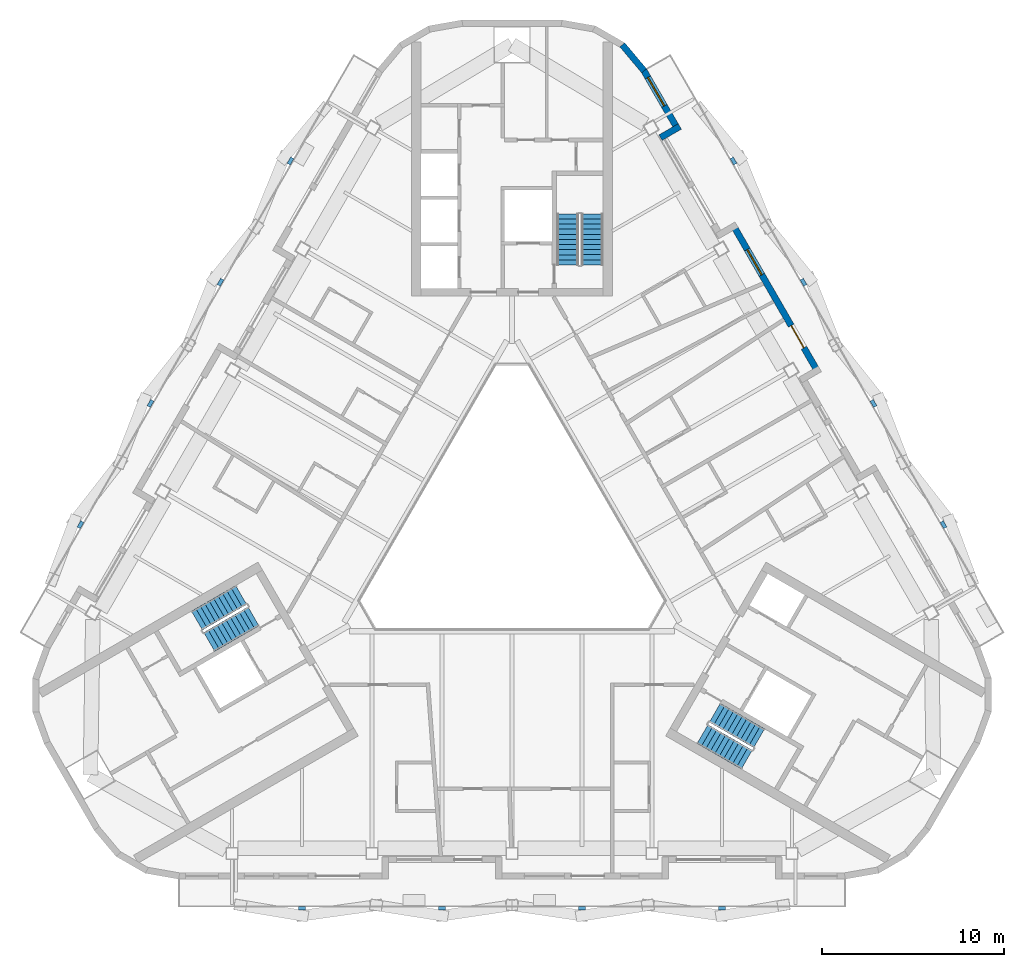
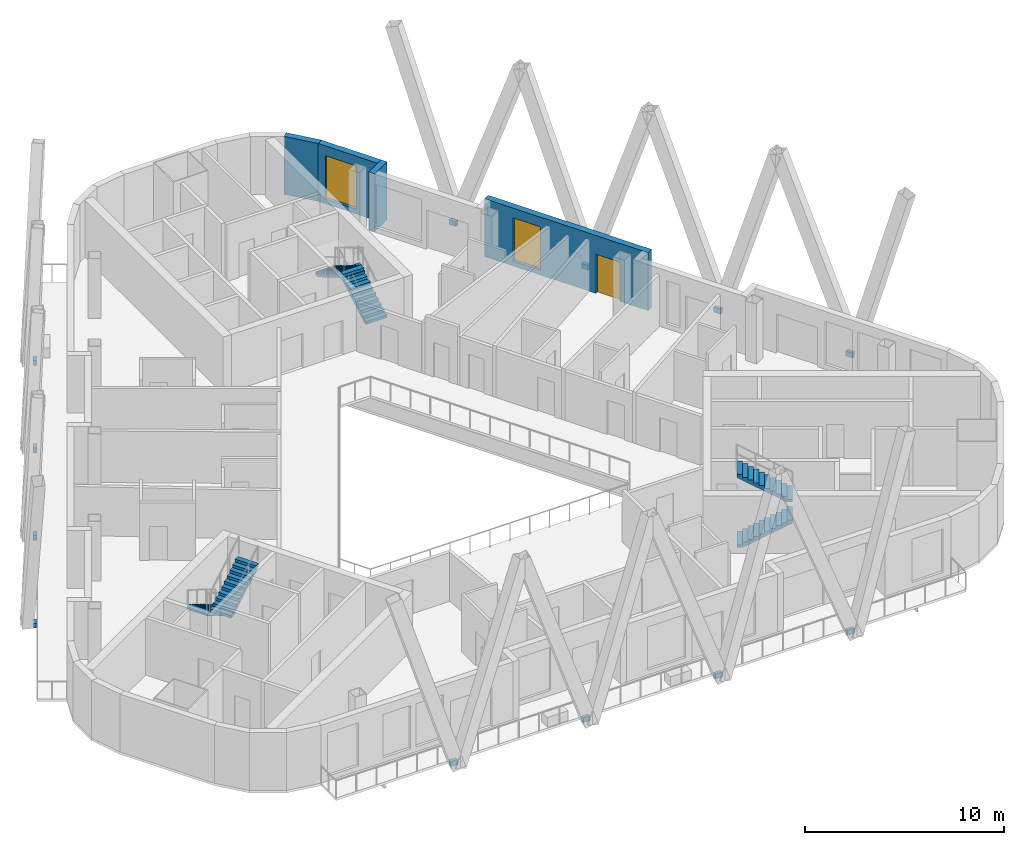
# One storey, part 8 of 14: 12 discrete accessories, 6 stair flights, 4 walls, 2 windows, 1 door, 3 openings, 3 elements without a shape of their own.
"""IFC4 building model written with IfcOpenShell, lengths in metres."""

from ifc_helpers import new_model, si_unit, direction, frame, frame_2d, origin, origin_2d, place, context, subcontext, project, spatial, polyline, rectangle, outline, extrude, material, layer, layer_set, type_object, element, fill, aggregate, save


model = new_model("IFC4")

# Units and contexts
model_context = context("Model", 3, precision=1e-05, world=origin(), true_north=direction((0.0, 1.0)))
body_context = subcontext(model_context, "Body", "Model", "MODEL_VIEW")
ifc_project = project(units=[si_unit("LENGTHUNIT", "METRE"), si_unit("AREAUNIT", "SQUARE_METRE"), si_unit("VOLUMEUNIT", "CUBIC_METRE"), si_unit("PLANEANGLEUNIT", "RADIAN"), si_unit("MASSUNIT", "GRAM", prefix="KILO")], contexts=[model_context])

# Site, building, storey
site_placement = place(None, origin())
site = spatial("IfcSite", under=ifc_project, at=site_placement, CompositionType="ELEMENT")
building_placement = place(site_placement, origin())
building = spatial("IfcBuilding", under=site, at=building_placement, Name="Apuvela Tower Hotel", CompositionType="ELEMENT")
storey_placement = place(building_placement, frame((0.0, 0.0, 257.800048828125)))
storey = spatial("IfcBuildingStorey", under=building, at=storey_placement, Name="L63", CompositionType="ELEMENT", Elevation=257.800048828125)

# Wall, openings, door, window
ifc_material_1 = material(Name="Concrete C40/50, dark pigmented precast panel", Category="concrete")
ifc_layer = layer(ifc_material_1, 0.35009765625)
ifc_layer_set = layer_set([ifc_layer], Name="ENV-WALL-350")
wall_type = type_object("IfcWallType", Name="ENV-WALL-350", PredefinedType="SOLIDWALL", material=ifc_layer_set)
wall_1_placement = place(storey_placement, frame((16.807373046875, 8.66455078125, 0.0), z_axis=(0.0, 0.0, 1.0), x_axis=(-0.499992427901, 0.866029775494, 0.0)))
wall_1 = element("IfcWall", 1, at=wall_1_placement, inside=storey, type_object=wall_type, Name="External wall L63-37", PredefinedType="SOLIDWALL", context=body_context, shape_type="SweptSolid", body=[
    extrude(rectangle(XDim=9.471923828125, YDim=0.35009765625, at=frame_2d((4.73583984375, 0.0))), origin(), (0.0, 0.0, 1.0), 3.550048828125),
])
opening_1_placement = place(wall_1_placement, frame((1.6123046875, 0.0, 0.0)))
opening_1 = element("IfcOpeningElement", 2, at=opening_1_placement, cuts=wall_1, Name="Opening BD14", PredefinedType="OPENING", context=body_context, shape_type="SweptSolid", body=[
    extrude(rectangle(XDim=1.39990234375, YDim=2.39990234375, at=frame_2d((0.699951171875, 1.199951171875))), frame((0.0, 0.18505859375, 0.0), z_axis=(0.0, -1.0, 0.0), x_axis=(1.0, 0.0, 0.0)), (0.0, 0.0, 1.0), 0.3701171875),
])
opening_2_placement = place(wall_1_placement, frame((6.23046875, 0.0, 0.300048828125)))
opening_2 = element("IfcOpeningElement", 3, at=opening_2_placement, cuts=wall_1, Name="Opening WN16", PredefinedType="OPENING", context=body_context, shape_type="SweptSolid", body=[
    extrude(rectangle(XDim=1.60009765625, YDim=2.64990234375, at=frame_2d((0.800048828125, 1.324951171875))), frame((0.0, 0.18505859375, 0.0), z_axis=(0.0, -1.0, 0.0), x_axis=(1.0, 0.0, 0.0)), (0.0, 0.0, 1.0), 0.3701171875),
])
ifc_material_2 = material(Name="Aluminium 6063-T6, dark bronze anodised frame with dark tinted laminated glass", Category="aluminium")
door_type = type_object("IfcDoorType", Name="ENV-DOOR-BALCONY-1400x2400", OperationType="SLIDING_TO_LEFT", PredefinedType="DOOR", material=ifc_material_2)
door_placement = place(opening_1_placement, frame((1.39990234375, 0.0, 0.0), z_axis=(0.0, 0.0, 1.0), x_axis=(-1.0, 0.0, 0.0)))
door = element("IfcDoor", 4, at=door_placement, inside=storey, type_object=door_type, Name="Balcony door BD14", OperationType="SLIDING_TO_LEFT", OverallHeight=2.39990234375, OverallWidth=1.39990234375, PredefinedType="DOOR", context=body_context, shape_type="SweptSolid", body=[
    extrude(rectangle(XDim=1.39990234375, YDim=2.39990234375, at=frame_2d((0.699951171875, 1.199951171875))), frame((0.0, 0.02490234375, 0.0), z_axis=(0.0, -1.0, 0.0), x_axis=(1.0, 0.0, 0.0)), (0.0, 0.0, 1.0), 0.050048828125),
])
fill(opening_1, door)
ifc_material_3 = material(Name="Glass, dark tinted laminated insulated glazing unit", Category="glass")
window_type_1 = type_object("IfcWindowType", Name="ENV-WIN-1600x2650", PartitioningType="SINGLE_PANEL", PredefinedType="WINDOW", material=ifc_material_3)
window_1_placement = place(opening_2_placement, origin())
window_1 = element("IfcWindow", 5, at=window_1_placement, inside=storey, type_object=window_type_1, Name="Window WN16", OverallHeight=2.64990234375, OverallWidth=1.60009765625, PartitioningType="SINGLE_PANEL", PredefinedType="WINDOW", context=body_context, shape_type="SweptSolid", body=[
    extrude(rectangle(XDim=1.60009765625, YDim=2.64990234375, at=frame_2d((0.800048828125, 1.324951171875))), frame((0.0, 0.030029296875, 0.0), z_axis=(0.0, -1.0, 0.0), x_axis=(1.0, 0.0, 0.0)), (0.0, 0.0, 1.0), 0.06005859375),
])
fill(opening_2, window_1)

# Wall
wall_2_placement = place(storey_placement, frame((8.14306640625, 21.58154296875, 0.0), z_axis=(0.0, 0.0, 1.0), x_axis=(0.866092288191, 0.499884134912, 0.0)))
element("IfcWall", 6, at=wall_2_placement, inside=storey, type_object=wall_type, Name="External wall L63-40", PredefinedType="SOLIDWALL", context=body_context, shape_type="SweptSolid", body=[
    extrude(rectangle(XDim=1.219970703125, YDim=0.35009765625, at=frame_2d((0.60986328125, 0.0))), origin(), (0.0, 0.0, 1.0), 3.550048828125),
])

# Wall, opening, window
wall_3_placement = place(storey_placement, frame((9.135498046875, 21.952392578125, 0.0), z_axis=(0.0, 0.0, 1.0), x_axis=(-0.499972675833, 0.866041178825, 0.0)))
wall_3 = element("IfcWall", 7, at=wall_3_placement, inside=storey, type_object=wall_type, Name="External wall L63-41", PredefinedType="SOLIDWALL", context=body_context, shape_type="SweptSolid", body=[
    extrude(rectangle(XDim=3.828857421875, YDim=0.35009765625, at=frame_2d((1.91455078125, 0.0))), origin(), (0.0, 0.0, 1.0), 3.550048828125),
])
opening_3_placement = place(wall_3_placement, frame((1.5751953125, 0.0, 0.300048828125)))
opening_3 = element("IfcOpeningElement", 8, at=opening_3_placement, cuts=wall_3, Name="Opening WN18", PredefinedType="OPENING", context=body_context, shape_type="SweptSolid", body=[
    extrude(rectangle(XDim=1.800048828125, YDim=2.64990234375, at=frame_2d((0.89990234375, 1.324951171875))), frame((0.0, 0.18505859375, 0.0), z_axis=(0.0, -1.0, 0.0), x_axis=(1.0, 0.0, 0.0)), (0.0, 0.0, 1.0), 0.3701171875),
])
window_type_2 = type_object("IfcWindowType", Name="ENV-WIN-1800x2650", PartitioningType="SINGLE_PANEL", PredefinedType="WINDOW", material=ifc_material_3)
window_2_placement = place(opening_3_placement, origin())
window_2 = element("IfcWindow", 9, at=window_2_placement, inside=storey, type_object=window_type_2, Name="Window WN18", OverallHeight=2.64990234375, OverallWidth=1.800048828125, PartitioningType="SINGLE_PANEL", PredefinedType="WINDOW", context=body_context, shape_type="SweptSolid", body=[
    extrude(rectangle(XDim=1.800048828125, YDim=2.64990234375, at=frame_2d((0.89990234375, 1.324951171875))), frame((0.0, 0.030029296875, 0.0), z_axis=(0.0, -1.0, 0.0), x_axis=(1.0, 0.0, 0.0)), (0.0, 0.0, 1.0), 0.06005859375),
])
fill(opening_3, window_2)

# Wall
wall_4_placement = place(storey_placement, frame((7.23876953125, 25.2431640625, 0.0), z_axis=(0.0, 0.0, 1.0), x_axis=(-0.642756798522, 0.7660702957, 0.0)))
element("IfcWall", 10, at=wall_4_placement, inside=storey, type_object=wall_type, Name="External wall L63-42", PredefinedType="SOLIDWALL", context=body_context, shape_type="SweptSolid", body=[
    extrude(rectangle(XDim=1.855224609375, YDim=0.35009765625, at=frame_2d((0.927734375, 0.0))), origin(), (0.0, 0.0, 1.0), 3.550048828125),
])

# Stair, stair flights
ifc_material_4 = material(Name="Concrete C50/60", Category="concrete")
stair_type = type_object("IfcStairType", Name="COR-STAIR-22R", PredefinedType="HALF_TURN_STAIR", material=ifc_material_4)
stair_1_placement = place(storey_placement, origin())
stair_1 = element("IfcStair", 11, at=stair_1_placement, inside=storey, type_object=stair_type, Name="L63 Exit stair ST1", PredefinedType="HALF_TURN_STAIR")
stair_flight_type = type_object("IfcStairFlightType", Name="COR-FLIGHT-11R", PredefinedType="STRAIGHT", material=ifc_material_4)
stair_flight_1_placement = place(storey_placement, frame((4.39990234375, 14.60009765625, 0.0), z_axis=(0.0, 0.0, 1.0), x_axis=(0.0, 1.0, 0.0)))
stair_flight_1 = element("IfcStairFlight", 12, at=stair_flight_1_placement, type_object=stair_flight_type, Name="ST1 flight 1", NumberOfRisers=11, NumberOfTreads=10, PredefinedType="STRAIGHT", RiserHeight=0.168181818, TreadLength=0.28, context=body_context, shape_type="SweptSolid", body=[
    extrude(outline(polyline([(0.0, 0.0), (0.0, 0.168212890625), (0.280029296875, 0.168212890625), (0.280029296875, 0.33642578125), (0.56005859375, 0.33642578125), (0.56005859375, 0.504638671875), (0.840087890625, 0.504638671875), (0.840087890625, 0.672607421875), (1.1201171875, 0.672607421875), (1.1201171875, 0.8408203125), (1.39990234375, 0.8408203125), (1.39990234375, 1.009033203125), (1.679931640625, 1.009033203125), (1.679931640625, 1.17724609375), (1.9599609375, 1.17724609375), (1.9599609375, 1.345458984375), (2.239990234375, 1.345458984375), (2.239990234375, 1.513671875), (2.52001953125, 1.513671875), (2.52001953125, 1.681884765625), (2.800048828125, 1.681884765625), (2.800048828125, 1.85009765625), (2.800048828125, 1.5068359375), (0.291015625, 0.0), (0.0, 0.0)])), frame((0.0, 0.60009765625, 0.0), z_axis=(0.0, -1.0, 0.0), x_axis=(1.0, 0.0, 0.0)), (0.0, 0.0, 1.0), 1.199951171875),
])
stair_flight_2_placement = place(storey_placement, frame((3.050048828125, 17.39990234375, 1.849853515625), z_axis=(0.0, 0.0, 1.0), x_axis=(0.0, -1.0, 0.0)))
stair_flight_2 = element("IfcStairFlight", 13, at=stair_flight_2_placement, type_object=stair_flight_type, Name="ST1 flight 2", NumberOfRisers=11, NumberOfTreads=10, PredefinedType="STRAIGHT", RiserHeight=0.168181818, TreadLength=0.28, context=body_context, shape_type="SweptSolid", body=[
    extrude(outline(polyline([(0.0, 0.0), (0.0, 0.168212890625), (0.280029296875, 0.168212890625), (0.280029296875, 0.33642578125), (0.56005859375, 0.33642578125), (0.56005859375, 0.504638671875), (0.840087890625, 0.504638671875), (0.840087890625, 0.672607421875), (1.1201171875, 0.672607421875), (1.1201171875, 0.8408203125), (1.39990234375, 0.8408203125), (1.39990234375, 1.009033203125), (1.679931640625, 1.009033203125), (1.679931640625, 1.17724609375), (1.9599609375, 1.17724609375), (1.9599609375, 1.345458984375), (2.239990234375, 1.345458984375), (2.239990234375, 1.513671875), (2.52001953125, 1.513671875), (2.52001953125, 1.681884765625), (2.800048828125, 1.681884765625), (2.800048828125, 1.85009765625), (2.800048828125, 1.5068359375), (0.291015625, 0.0), (0.0, 0.0)])), frame((0.0, 0.60009765625, 0.0), z_axis=(0.0, -1.0, 0.0), x_axis=(1.0, 0.0, 0.0)), (0.0, 0.0, 1.0), 1.199951171875),
])
aggregate(stair_1, [stair_flight_1, stair_flight_2])

stair_2_placement = place(storey_placement, origin())
stair_2 = element("IfcStair", 14, at=stair_2_placement, inside=storey, type_object=stair_type, Name="L63 Exit stair ST2", PredefinedType="HALF_TURN_STAIR")
stair_flight_3_placement = place(storey_placement, frame((-14.843994140625, -3.489501953125, 0.0), z_axis=(0.0, 0.0, 1.0), x_axis=(-0.866025403784, -0.5, 0.0)))
stair_flight_3 = element("IfcStairFlight", 15, at=stair_flight_3_placement, type_object=stair_flight_type, Name="ST2 flight 1", NumberOfRisers=11, NumberOfTreads=10, PredefinedType="STRAIGHT", RiserHeight=0.168181818, TreadLength=0.28, context=body_context, shape_type="SweptSolid", body=[
    extrude(outline(polyline([(0.0, 0.0), (0.0, 0.168212890625), (0.280029296875, 0.168212890625), (0.280029296875, 0.33642578125), (0.56005859375, 0.33642578125), (0.56005859375, 0.504638671875), (0.840087890625, 0.504638671875), (0.840087890625, 0.672607421875), (1.1201171875, 0.672607421875), (1.1201171875, 0.8408203125), (1.39990234375, 0.8408203125), (1.39990234375, 1.009033203125), (1.679931640625, 1.009033203125), (1.679931640625, 1.17724609375), (1.9599609375, 1.17724609375), (1.9599609375, 1.345458984375), (2.239990234375, 1.345458984375), (2.239990234375, 1.513671875), (2.52001953125, 1.513671875), (2.52001953125, 1.681884765625), (2.800048828125, 1.681884765625), (2.800048828125, 1.85009765625), (2.800048828125, 1.5068359375), (0.291015625, 0.0), (0.0, 0.0)])), frame((0.0, 0.60009765625, 0.0), z_axis=(0.0, -1.0, 0.0), x_axis=(1.0, 0.0, 0.0)), (0.0, 0.0, 1.0), 1.199951171875),
])
stair_flight_4_placement = place(storey_placement, frame((-16.59375, -6.05859375, 1.849853515625), z_axis=(0.0, 0.0, 1.0), x_axis=(0.866025403784, 0.5, 0.0)))
stair_flight_4 = element("IfcStairFlight", 16, at=stair_flight_4_placement, type_object=stair_flight_type, Name="ST2 flight 2", NumberOfRisers=11, NumberOfTreads=10, PredefinedType="STRAIGHT", RiserHeight=0.168181818, TreadLength=0.28, context=body_context, shape_type="SweptSolid", body=[
    extrude(outline(polyline([(0.0, 0.0), (0.0, 0.168212890625), (0.280029296875, 0.168212890625), (0.280029296875, 0.33642578125), (0.56005859375, 0.33642578125), (0.56005859375, 0.504638671875), (0.840087890625, 0.504638671875), (0.840087890625, 0.672607421875), (1.1201171875, 0.672607421875), (1.1201171875, 0.8408203125), (1.39990234375, 0.8408203125), (1.39990234375, 1.009033203125), (1.679931640625, 1.009033203125), (1.679931640625, 1.17724609375), (1.9599609375, 1.17724609375), (1.9599609375, 1.345458984375), (2.239990234375, 1.345458984375), (2.239990234375, 1.513671875), (2.52001953125, 1.513671875), (2.52001953125, 1.681884765625), (2.800048828125, 1.681884765625), (2.800048828125, 1.85009765625), (2.800048828125, 1.5068359375), (0.291015625, 0.0), (0.0, 0.0)])), frame((0.0, 0.60009765625, 0.0), z_axis=(0.0, -1.0, 0.0), x_axis=(1.0, 0.0, 0.0)), (0.0, 0.0, 1.0), 1.199951171875),
])
aggregate(stair_2, [stair_flight_3, stair_flight_4])

stair_3_placement = place(storey_placement, origin())
stair_3 = element("IfcStair", 17, at=stair_3_placement, inside=storey, type_object=stair_type, Name="L63 Exit stair ST3", PredefinedType="HALF_TURN_STAIR")
stair_flight_5_placement = place(storey_placement, frame((10.444091796875, -11.110595703125, 0.0), z_axis=(0.0, 0.0, 1.0), x_axis=(0.866025403784, -0.5, 0.0)))
stair_flight_5 = element("IfcStairFlight", 18, at=stair_flight_5_placement, type_object=stair_flight_type, Name="ST3 flight 1", NumberOfRisers=11, NumberOfTreads=10, PredefinedType="STRAIGHT", RiserHeight=0.168181818, TreadLength=0.28, context=body_context, shape_type="SweptSolid", body=[
    extrude(outline(polyline([(0.0, 0.0), (0.0, 0.168212890625), (0.280029296875, 0.168212890625), (0.280029296875, 0.33642578125), (0.56005859375, 0.33642578125), (0.56005859375, 0.504638671875), (0.840087890625, 0.504638671875), (0.840087890625, 0.672607421875), (1.1201171875, 0.672607421875), (1.1201171875, 0.8408203125), (1.39990234375, 0.8408203125), (1.39990234375, 1.009033203125), (1.679931640625, 1.009033203125), (1.679931640625, 1.17724609375), (1.9599609375, 1.17724609375), (1.9599609375, 1.345458984375), (2.239990234375, 1.345458984375), (2.239990234375, 1.513671875), (2.52001953125, 1.513671875), (2.52001953125, 1.681884765625), (2.800048828125, 1.681884765625), (2.800048828125, 1.85009765625), (2.800048828125, 1.5068359375), (0.291015625, 0.0), (0.0, 0.0)])), frame((0.0, 0.60009765625, 0.0), z_axis=(0.0, -1.0, 0.0), x_axis=(1.0, 0.0, 0.0)), (0.0, 0.0, 1.0), 1.199951171875),
])
stair_flight_6_placement = place(storey_placement, frame((13.5439453125, -11.34130859375, 1.849853515625), z_axis=(0.0, 0.0, 1.0), x_axis=(-0.866025403784, 0.5, 0.0)))
stair_flight_6 = element("IfcStairFlight", 19, at=stair_flight_6_placement, type_object=stair_flight_type, Name="ST3 flight 2", NumberOfRisers=11, NumberOfTreads=10, PredefinedType="STRAIGHT", RiserHeight=0.168181818, TreadLength=0.28, context=body_context, shape_type="SweptSolid", body=[
    extrude(outline(polyline([(0.0, 0.0), (0.0, 0.168212890625), (0.280029296875, 0.168212890625), (0.280029296875, 0.33642578125), (0.56005859375, 0.33642578125), (0.56005859375, 0.504638671875), (0.840087890625, 0.504638671875), (0.840087890625, 0.672607421875), (1.1201171875, 0.672607421875), (1.1201171875, 0.8408203125), (1.39990234375, 0.8408203125), (1.39990234375, 1.009033203125), (1.679931640625, 1.009033203125), (1.679931640625, 1.17724609375), (1.9599609375, 1.17724609375), (1.9599609375, 1.345458984375), (2.239990234375, 1.345458984375), (2.239990234375, 1.513671875), (2.52001953125, 1.513671875), (2.52001953125, 1.681884765625), (2.800048828125, 1.681884765625), (2.800048828125, 1.85009765625), (2.800048828125, 1.5068359375), (0.291015625, 0.0), (0.0, 0.0)])), frame((0.0, 0.60009765625, 0.0), z_axis=(0.0, -1.0, 0.0), x_axis=(1.0, 0.0, 0.0)), (0.0, 0.0, 1.0), 1.199951171875),
])
aggregate(stair_3, [stair_flight_5, stair_flight_6])

# Discrete accessories
ifc_material_5 = material(Name="Steel S355, black paint system", Category="steel")
discrete_accessory_type = type_object("IfcDiscreteAccessoryType", Name="ENV-FIN-BRACKET", PredefinedType="BRACKET", material=ifc_material_5)
for number, where, z_axis, x_axis, name in (
    (20, (23.6484375, 0.365478515625, -0.25), (0.0, 0.0, 1.0), (-0.5, 0.866025403784, 0.0), "Fin bracket NE115"),
    (21, (19.8125, 7.009521484375, -0.25), (0.0, 0.0, 1.0), (-0.5, 0.866025403784, 0.0), "Fin bracket NE116"),
    (22, (15.976806640625, 13.6533203125, -0.25), (0.0, 0.0, 1.0), (-0.5, 0.866025403784, 0.0), "Fin bracket NE117"),
    (23, (12.140869140625, 20.29736328125, -0.25), (0.0, 0.0, 1.0), (-0.5, 0.866025403784, 0.0), "Fin bracket NE118"),
    (24, (-12.140869140625, 20.29736328125, -0.25), (0.0, 0.0, 1.0), (-0.5, -0.866025403784, 0.0), "Fin bracket NW264"),
    (25, (-15.976806640625, 13.6533203125, -0.25), (0.0, 0.0, 1.0), (-0.5, -0.866025403784, 0.0), "Fin bracket NW265"),
    (26, (-19.8125, 7.009521484375, -0.25), (0.0, 0.0, 1.0), (-0.5, -0.866025403784, 0.0), "Fin bracket NW266"),
    (27, (-23.6484375, 0.365478515625, -0.25), (0.0, 0.0, 1.0), (-0.5, -0.866025403784, 0.0), "Fin bracket NW267"),
    (28, (-11.5078125, -20.662841796875, -0.25), (0.0, 0.0, 1.0), (1.0, 0.0, 0.0), "Fin bracket S414"),
    (29, (-3.8359375, -20.662841796875, -0.25), (0.0, 0.0, 1.0), (1.0, 0.0, 0.0), "Fin bracket S415"),
    (30, (3.8359375, -20.662841796875, -0.25), (0.0, 0.0, 1.0), (1.0, 0.0, 0.0), "Fin bracket S416"),
    (31, (11.5078125, -20.662841796875, -0.25), (0.0, 0.0, 1.0), (1.0, 0.0, 0.0), "Fin bracket S417"),
):
    element("IfcDiscreteAccessory", number, at=place(storey_placement, frame(where, z_axis=z_axis, x_axis=x_axis)), inside=storey, type_object=discrete_accessory_type, Name=name, PredefinedType="BRACKET", context=body_context, shape_type="SweptSolid", body=[
        extrude(rectangle(XDim=0.39990234375, YDim=0.199951171875, at=origin_2d()), origin(), (0.0, 0.0, 1.0), 0.300048828125),
    ])

save(model, "model.ifc")
